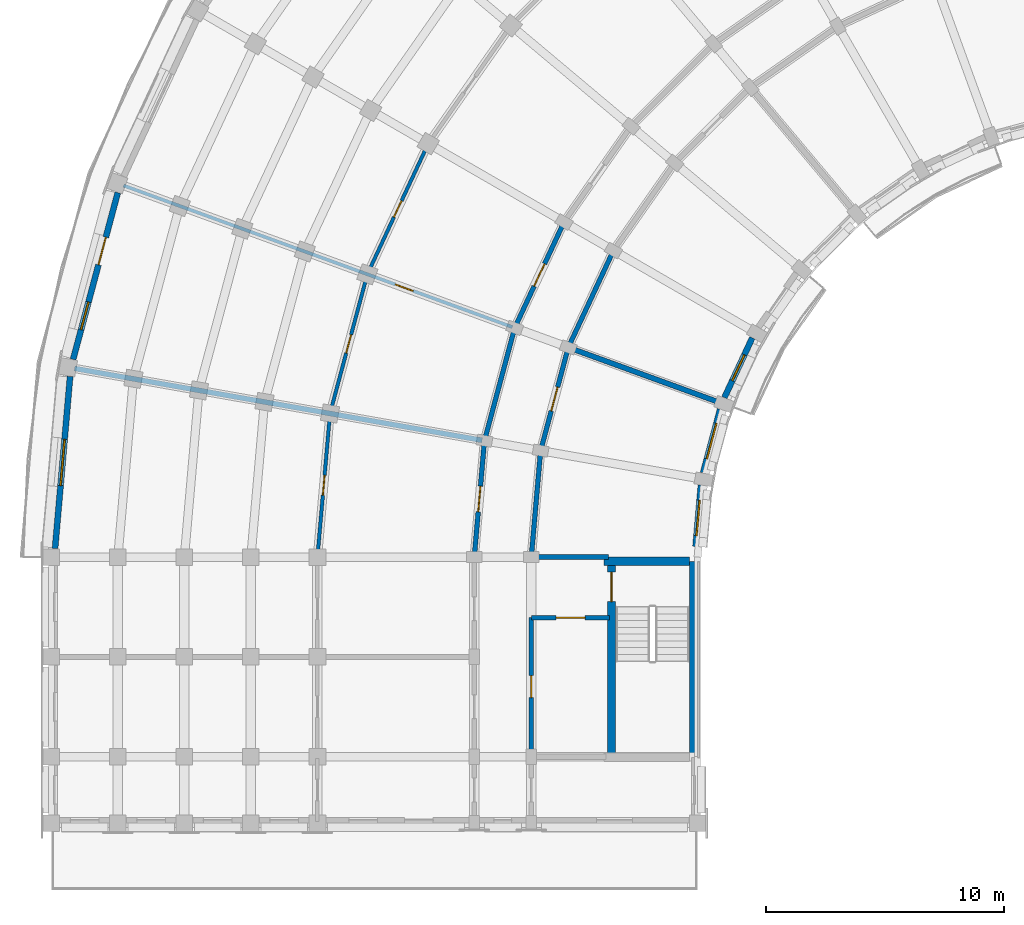
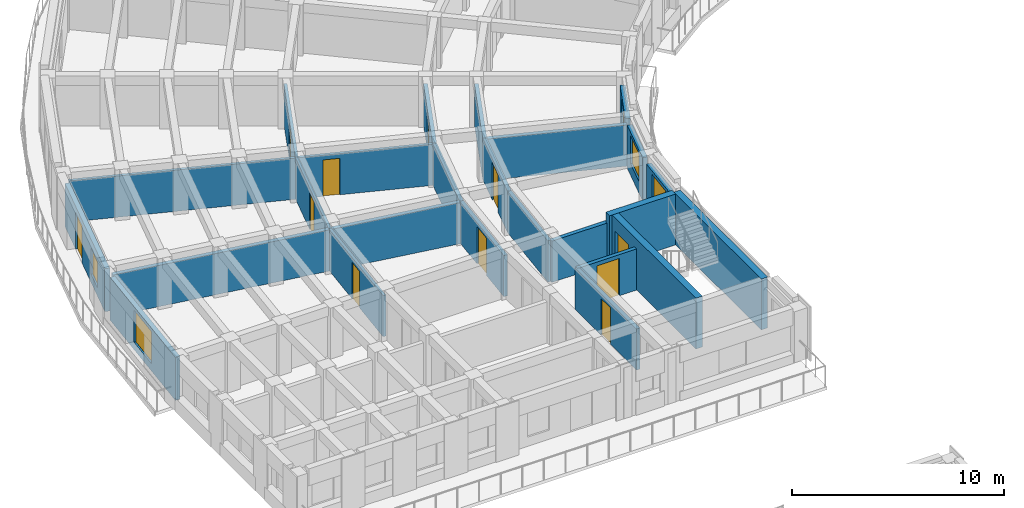
# One storey, part 24 of 54: 23 walls, 11 doors, 5 windows, 16 openings.
"""IFC4 building model written with IfcOpenShell, lengths in metres."""

from ifc_helpers import new_model, si_unit, direction, frame, frame_2d, origin, place, context, subcontext, project, spatial, rectangle, extrude, material, layer, layer_set, type_object, element, fill, save


model = new_model("IFC4")

# Units and contexts
model_context = context("Model", 3, precision=1e-05, world=origin(), true_north=direction((0.0, 1.0)))
body_context = subcontext(model_context, "Body", "Model", "MODEL_VIEW")
ifc_project = project(units=[si_unit("LENGTHUNIT", "METRE"), si_unit("AREAUNIT", "SQUARE_METRE"), si_unit("VOLUMEUNIT", "CUBIC_METRE"), si_unit("PLANEANGLEUNIT", "RADIAN"), si_unit("MASSUNIT", "GRAM", prefix="KILO")], contexts=[model_context])

# Site, building, storey
site_placement = place(None, origin())
site = spatial("IfcSite", under=ifc_project, at=site_placement, CompositionType="ELEMENT")
building_placement = place(site_placement, origin())
building = spatial("IfcBuilding", under=site, at=building_placement, Name="Kiranvali Square Residences", CompositionType="ELEMENT")
storey_placement = place(building_placement, frame((0.0, 0.0, 27.60009765625)))
storey = spatial("IfcBuildingStorey", under=building, at=storey_placement, Name="L08", CompositionType="ELEMENT", Elevation=27.60009765625)

# Wall, opening, door
ifc_material_1 = material(Name="Autoclaved aerated concrete blockwork masonry", Category="masonry")
ifc_layer_1 = layer(ifc_material_1, 0.199951171875)
ifc_layer_set_1 = layer_set([ifc_layer_1], Name="Autoclaved aerated concrete blockwork masonry")
wall_type_1 = type_object("IfcWallType", Name="WL-COR-200", PredefinedType="STANDARD", material=ifc_layer_set_1)
wall_1_placement = place(storey_placement, frame((25.699951171875, 85.25, 0.0), z_axis=(0.0, 0.0, 1.0), x_axis=(-1.0, 0.0, 0.0)))
wall_1 = element("IfcWall", 1, at=wall_1_placement, inside=storey, type_object=wall_type_1, Name="L08 architectural wall WL-L08-A-S3-V", PredefinedType="STANDARD", context=body_context, shape_type="SweptSolid", body=[
    extrude(rectangle(XDim=3.300048828125, YDim=0.199951171875, at=frame_2d((1.64990234375, 0.0))), origin(), (0.0, 0.0, 1.0), 2.371826171875),
])
opening_1_placement = place(wall_1_placement, frame((1.0400390625, 0.0, 0.0)))
opening_1 = element("IfcOpeningElement", 2, at=opening_1_placement, cuts=wall_1, Name="Opening FD-COR-60", PredefinedType="OPENING", context=body_context, shape_type="SweptSolid", body=[
    extrude(rectangle(XDim=1.219970703125, YDim=2.14990234375, at=frame_2d((0.60986328125, 1.074951171875))), frame((0.0, 0.10986328125, 0.0), z_axis=(0.0, -1.0, 0.0), x_axis=(1.0, 0.0, 0.0)), (0.0, 0.0, 1.0), 0.219970703125),
])
ifc_material_2 = material(Name="Fire-rated acoustic hardwood and mineral-core door assembly", Category="wood")
door_type_1 = type_object("IfcDoorType", Name="DR-FD60-1200", OperationType="NOTDEFINED", PredefinedType="DOOR", material=ifc_material_2)
door_1_placement = place(opening_1_placement, frame((1.219970703125, 0.0, 0.0), z_axis=(0.0, 0.0, 1.0), x_axis=(-1.0, 0.0, 0.0)))
door_1 = element("IfcDoor", 3, at=door_1_placement, inside=storey, type_object=door_type_1, Name="L08 door DR-L08-0520 (DR-FD60-1200)", OperationType="SINGLE_SWING_RIGHT", OverallHeight=2.14990234375, OverallWidth=1.219970703125, PredefinedType="DOOR", context=body_context, shape_type="SweptSolid", body=[
    extrude(rectangle(XDim=1.219970703125, YDim=2.14990234375, at=frame_2d((0.60986328125, 1.074951171875))), frame((0.0, 0.02490234375, 0.0), z_axis=(0.0, -1.0, 0.0), x_axis=(1.0, 0.0, 0.0)), (0.0, 0.0, 1.0), 0.050048828125),
])
fill(opening_1, door_1)

wall_2_placement = place(storey_placement, frame((22.39990234375, 85.25, 0.0), z_axis=(0.0, 0.0, 1.0), x_axis=(0.0, -1.0, 0.0)))
wall_2 = element("IfcWall", 4, at=wall_2_placement, inside=storey, type_object=wall_type_1, Name="L08 architectural wall WL-L08-A-S3-COR", PredefinedType="STANDARD", context=body_context, shape_type="SweptSolid", body=[
    extrude(rectangle(XDim=5.800048828125, YDim=0.199951171875, at=frame_2d((2.89990234375, 0.0))), origin(), (0.0, 0.0, 1.0), 2.371826171875),
])
opening_2_placement = place(wall_2_placement, frame((2.43994140625, 0.0, 0.0)))
opening_2 = element("IfcOpeningElement", 5, at=opening_2_placement, cuts=wall_2, Name="Opening FD-SVC-120", PredefinedType="OPENING", context=body_context, shape_type="SweptSolid", body=[
    extrude(rectangle(XDim=0.919921875, YDim=2.10009765625, at=frame_2d((0.4599609375, 1.050048828125))), frame((0.0, 0.10986328125, 0.0), z_axis=(0.0, -1.0, 0.0), x_axis=(1.0, 0.0, 0.0)), (0.0, 0.0, 1.0), 0.219970703125),
])
door_type_2 = type_object("IfcDoorType", Name="DR-SVC-900", OperationType="NOTDEFINED", PredefinedType="DOOR", material=ifc_material_2)
door_2_placement = place(opening_2_placement, origin())
door_2 = element("IfcDoor", 6, at=door_2_placement, inside=storey, type_object=door_type_2, Name="L08 door DR-L08-0521 (DR-SVC-900)", OperationType="SINGLE_SWING_LEFT", OverallHeight=2.10009765625, OverallWidth=0.919921875, PredefinedType="DOOR", context=body_context, shape_type="SweptSolid", body=[
    extrude(rectangle(XDim=0.919921875, YDim=2.10009765625, at=frame_2d((0.4599609375, 1.050048828125))), frame((0.0, 0.02490234375, 0.0), z_axis=(0.0, -1.0, 0.0), x_axis=(1.0, 0.0, 0.0)), (0.0, 0.0, 1.0), 0.050048828125),
])
fill(opening_2, door_2)

# Wall
wall_3_placement = place(storey_placement, frame((25.8564453125, 100.699951171875, 0.0), z_axis=(0.0, 0.0, 1.0), x_axis=(-0.422617978463, -0.906307919131, 0.0)))
element("IfcWall", 7, at=wall_3_placement, inside=storey, type_object=wall_type_1, Name="L08 architectural wall WL-L08-A-CCI-6", PredefinedType="STANDARD", context=body_context, shape_type="SweptSolid", body=[
    extrude(rectangle(XDim=4.497314453125, YDim=0.199951171875, at=frame_2d((2.24853515625, 0.0))), origin(), (0.0, 0.0, 1.0), 2.371826171875),
])

# Wall, opening, door
wall_4_placement = place(storey_placement, frame((23.778076171875, 101.89990234375, 0.0), z_axis=(0.0, 0.0, 1.0), x_axis=(-0.422629854778, -0.906302381024, 0.0)))
wall_4 = element("IfcWall", 8, at=wall_4_placement, inside=storey, type_object=wall_type_1, Name="L08 architectural wall WL-L08-A-CCO-6", PredefinedType="STANDARD", context=body_context, shape_type="SweptSolid", body=[
    extrude(rectangle(XDim=4.915283203125, YDim=0.199951171875, at=frame_2d((2.45751953125, 0.0))), origin(), (0.0, 0.0, 1.0), 2.371826171875),
])
opening_3_placement = place(wall_4_placement, frame((1.937744140625, 0.0, 0.0)))
opening_3 = element("IfcOpeningElement", 9, at=opening_3_placement, cuts=wall_4, Name="Opening FD-APT-60B", PredefinedType="OPENING", context=body_context, shape_type="SweptSolid", body=[
    extrude(rectangle(XDim=1.0400390625, YDim=2.14990234375, at=frame_2d((0.52001953125, 1.074951171875))), frame((0.0, 0.10986328125, 0.0), z_axis=(0.0, -1.0, 0.0), x_axis=(1.0, 0.0, 0.0)), (0.0, 0.0, 1.0), 0.219970703125),
])
door_type_3 = type_object("IfcDoorType", Name="DR-APT-1040", OperationType="NOTDEFINED", PredefinedType="DOOR", material=ifc_material_2)
door_3_placement = place(opening_3_placement, frame((1.0400390625, 0.0, 0.0), z_axis=(0.0, 0.0, 1.0), x_axis=(-1.0, 0.0, 0.0)))
door_3 = element("IfcDoor", 10, at=door_3_placement, inside=storey, type_object=door_type_3, Name="L08 door DR-L08-0552 (DR-APT-1040)", OperationType="SINGLE_SWING_RIGHT", OverallHeight=2.14990234375, OverallWidth=1.0400390625, PredefinedType="DOOR", context=body_context, shape_type="SweptSolid", body=[
    extrude(rectangle(XDim=1.0400390625, YDim=2.14990234375, at=frame_2d((0.52001953125, 1.074951171875))), frame((0.0, 0.02490234375, 0.0), z_axis=(0.0, -1.0, 0.0), x_axis=(1.0, 0.0, 0.0)), (0.0, 0.0, 1.0), 0.050048828125),
])
fill(opening_3, door_3)

wall_5_placement = place(storey_placement, frame((23.955810546875, 96.6240234375, 0.0), z_axis=(0.0, 0.0, 1.0), x_axis=(-0.258787642463, -0.965934240054, 0.0)))
wall_5 = element("IfcWall", 11, at=wall_5_placement, inside=storey, type_object=wall_type_1, Name="L08 architectural wall WL-L08-A-CCI-7", PredefinedType="STANDARD", context=body_context, shape_type="SweptSolid", body=[
    extrude(rectangle(XDim=4.497314453125, YDim=0.199951171875, at=frame_2d((2.24853515625, 0.0))), origin(), (0.0, 0.0, 1.0), 2.371826171875),
])
opening_4_placement = place(wall_5_placement, frame((1.728515625, 0.0, 0.0)))
opening_4 = element("IfcOpeningElement", 12, at=opening_4_placement, cuts=wall_5, Name="Opening FD-APT-60B", PredefinedType="OPENING", context=body_context, shape_type="SweptSolid", body=[
    extrude(rectangle(XDim=1.0400390625, YDim=2.14990234375, at=frame_2d((0.52001953125, 1.074951171875))), frame((0.0, 0.10986328125, 0.0), z_axis=(0.0, -1.0, 0.0), x_axis=(1.0, 0.0, 0.0)), (0.0, 0.0, 1.0), 0.219970703125),
])
door_4_placement = place(opening_4_placement, frame((1.0400390625, 0.0, 0.0), z_axis=(0.0, 0.0, 1.0), x_axis=(-1.0, 0.0, 0.0)))
door_4 = element("IfcDoor", 13, at=door_4_placement, inside=storey, type_object=door_type_3, Name="L08 door DR-L08-0560 (DR-APT-1040)", OperationType="SINGLE_SWING_RIGHT", OverallHeight=2.14990234375, OverallWidth=1.0400390625, PredefinedType="DOOR", context=body_context, shape_type="SweptSolid", body=[
    extrude(rectangle(XDim=1.0400390625, YDim=2.14990234375, at=frame_2d((0.52001953125, 1.074951171875))), frame((0.0, 0.02490234375, 0.0), z_axis=(0.0, -1.0, 0.0), x_axis=(1.0, 0.0, 0.0)), (0.0, 0.0, 1.0), 0.050048828125),
])
fill(opening_4, door_4)

# Walls
wall_6_placement = place(storey_placement, frame((21.70068359375, 97.445068359375, 0.0), z_axis=(0.0, 0.0, 1.0), x_axis=(-0.258803112091, -0.965930095386, 0.0)))
element("IfcWall", 14, at=wall_6_placement, inside=storey, type_object=wall_type_1, Name="L08 architectural wall WL-L08-A-CCO-7", PredefinedType="STANDARD", context=body_context, shape_type="SweptSolid", body=[
    extrude(rectangle(XDim=4.915771484375, YDim=0.199951171875, at=frame_2d((2.4580078125, 0.0))), origin(), (0.0, 0.0, 1.0), 2.371826171875),
])
wall_7_placement = place(storey_placement, frame((22.7919921875, 92.280029296875, 0.0), z_axis=(0.0, 0.0, 1.0), x_axis=(-0.087187153726, -0.996191949488, 0.0)))
element("IfcWall", 15, at=wall_7_placement, inside=storey, type_object=wall_type_1, Name="L08 architectural wall WL-L08-A-CCI-8", PredefinedType="STANDARD", context=body_context, shape_type="SweptSolid", body=[
    extrude(rectangle(XDim=4.4970703125, YDim=0.199951171875, at=frame_2d((2.24853515625, 0.0))), origin(), (0.0, 0.0, 1.0), 2.371826171875),
])

# Wall, opening, door
wall_8_placement = place(storey_placement, frame((20.428466796875, 92.69677734375, 0.0), z_axis=(0.0, 0.0, 1.0), x_axis=(-0.087167566415, -0.996193663584, 0.0)))
wall_8 = element("IfcWall", 16, at=wall_8_placement, inside=storey, type_object=wall_type_1, Name="L08 architectural wall WL-L08-A-CCO-8", PredefinedType="STANDARD", context=body_context, shape_type="SweptSolid", body=[
    extrude(rectangle(XDim=4.91552734375, YDim=0.199951171875, at=frame_2d((2.457763671875, 0.0))), origin(), (0.0, 0.0, 1.0), 2.371826171875),
])
opening_5_placement = place(wall_8_placement, frame((1.917724609375, 0.0, 0.0)))
opening_5 = element("IfcOpeningElement", 17, at=opening_5_placement, cuts=wall_8, Name="Opening FD-APT-60C", PredefinedType="OPENING", context=body_context, shape_type="SweptSolid", body=[
    extrude(rectangle(XDim=1.080078125, YDim=2.14990234375, at=frame_2d((0.5400390625, 1.074951171875))), frame((0.0, 0.10986328125, 0.0), z_axis=(0.0, -1.0, 0.0), x_axis=(1.0, 0.0, 0.0)), (0.0, 0.0, 1.0), 0.219970703125),
])
door_type_4 = type_object("IfcDoorType", Name="DR-APT-1080", OperationType="NOTDEFINED", PredefinedType="DOOR", material=ifc_material_2)
door_5_placement = place(opening_5_placement, origin())
door_5 = element("IfcDoor", 18, at=door_5_placement, inside=storey, type_object=door_type_4, Name="L08 door DR-L08-0555 (DR-APT-1080)", OperationType="SINGLE_SWING_LEFT", OverallHeight=2.14990234375, OverallWidth=1.080078125, PredefinedType="DOOR", context=body_context, shape_type="SweptSolid", body=[
    extrude(rectangle(XDim=1.080078125, YDim=2.14990234375, at=frame_2d((0.5400390625, 1.074951171875))), frame((0.0, 0.02490234375, 0.0), z_axis=(0.0, -1.0, 0.0), x_axis=(1.0, 0.0, 0.0)), (0.0, 0.0, 1.0), 0.050048828125),
])
fill(opening_5, door_5)

# Walls
ifc_layer_2 = layer(ifc_material_1, 0.219970703125)
ifc_layer_set_2 = layer_set([ifc_layer_2], Name="Autoclaved aerated concrete blockwork masonry")
wall_type_2 = type_object("IfcWallType", Name="WL-DEM-220", PredefinedType="STANDARD", material=ifc_layer_set_2)
wall_9_placement = place(storey_placement, frame((30.345947265625, 94.29833984375, 0.0), z_axis=(0.0, 0.0, 1.0), x_axis=(-0.939696231917, 0.342010221662, 0.0)))
element("IfcWall", 19, at=wall_9_placement, inside=storey, type_object=wall_type_2, Name="L08 architectural wall WL-L08-A-RADI-7", PredefinedType="STANDARD", context=body_context, shape_type="SweptSolid", body=[
    extrude(rectangle(XDim=6.75, YDim=0.219970703125, at=frame_2d((3.375, 0.0))), origin(), (0.0, 0.0, 1.0), 2.371826171875),
])
wall_10_placement = place(storey_placement, frame((20.329833984375, 92.71435546875, 0.0), z_axis=(0.0, 0.0, 1.0), x_axis=(-0.984808098809, 0.173646216546, 0.0)))
element("IfcWall", 20, at=wall_10_placement, inside=storey, type_object=wall_type_2, Name="L08 architectural wall WL-L08-A-RADO-8", PredefinedType="STANDARD", context=body_context, shape_type="SweptSolid", body=[
    extrude(rectangle(XDim=17.419921875, YDim=0.219970703125, at=frame_2d((8.7099609375, 0.0))), origin(), (0.0, 0.0, 1.0), 2.371826171875),
])
wall_11_placement = place(storey_placement, frame((25.64990234375, 87.800048828125, 0.0), z_axis=(0.0, 0.0, 1.0), x_axis=(-1.0, 0.0, 0.0)))
element("IfcWall", 21, at=wall_11_placement, inside=storey, type_object=wall_type_2, Name="L08 architectural wall WL-L08-A-RADI-9", PredefinedType="STANDARD", context=body_context, shape_type="SweptSolid", body=[
    extrude(rectangle(XDim=3.199951171875, YDim=0.219970703125, at=frame_2d((1.60009765625, 0.0))), origin(), (0.0, 0.0, 1.0), 2.371826171875),
])

# Wall, openings, door, window
ifc_material_3 = material(Name="Breathable lime-rendered clay brick masonry", Category="masonry")
ifc_layer_3 = layer(ifc_material_3, 0.25)
ifc_layer_set_3 = layer_set([ifc_layer_3], Name="Breathable lime-rendered clay brick masonry")
wall_type_3 = type_object("IfcWallType", Name="WL-EXT-250", PredefinedType="STANDARD", material=ifc_layer_set_3)
wall_12_placement = place(storey_placement, frame((4.99755859375, 103.137451171875, 0.0), z_axis=(0.0, 0.0, 1.0), x_axis=(-0.258802140196, -0.965930355787, 0.0)))
wall_12 = element("IfcWall", 22, at=wall_12_placement, inside=storey, type_object=wall_type_3, Name="L08 exterior wall A-L08-CRV-07", PredefinedType="STANDARD", context=body_context, shape_type="SweptSolid", body=[
    extrude(rectangle(XDim=7.2666015625, YDim=0.25, at=frame_2d((3.63330078125, 0.0))), origin(), (0.0, 0.0, 1.0), 2.471923828125),
])
opening_6_placement = place(wall_12_placement, frame((4.765625, 0.0, 0.471923828125)))
opening_6 = element("IfcOpeningElement", 23, at=opening_6_placement, cuts=wall_12, Name="Opening W-06", PredefinedType="OPENING", context=body_context, shape_type="SweptSolid", body=[
    extrude(rectangle(XDim=1.199951171875, YDim=1.5, at=frame_2d((0.60009765625, 0.75))), frame((0.0, 0.135009765625, 0.0), z_axis=(0.0, -1.0, 0.0), x_axis=(1.0, 0.0, 0.0)), (0.0, 0.0, 1.0), 0.27001953125),
])
opening_7_placement = place(wall_12_placement, frame((1.943359375, 0.0, 0.0)))
opening_7 = element("IfcOpeningElement", 24, at=opening_7_placement, cuts=wall_12, Name="Opening ED-BAL-1", PredefinedType="OPENING", context=body_context, shape_type="SweptSolid", body=[
    extrude(rectangle(XDim=1.199951171875, YDim=2.14990234375, at=frame_2d((0.60009765625, 1.074951171875))), frame((0.0, 0.135009765625, 0.0), z_axis=(0.0, -1.0, 0.0), x_axis=(1.0, 0.0, 0.0)), (0.0, 0.0, 1.0), 0.27001953125),
])
ifc_material_4 = material(Name="Anodised bronze aluminium framing", Category="aluminium")
door_type_5 = type_object("IfcDoorType", Name="DR-BAL-1200", OperationType="NOTDEFINED", PredefinedType="DOOR", material=ifc_material_4)
door_6_placement = place(opening_7_placement, frame((1.199951171875, 0.0, 0.0), z_axis=(0.0, 0.0, 1.0), x_axis=(-1.0, 0.0, 0.0)))
door_6 = element("IfcDoor", 25, at=door_6_placement, inside=storey, type_object=door_type_5, Name="L08 balcony terrace door", OperationType="SINGLE_SWING_LEFT", OverallHeight=2.14990234375, OverallWidth=1.199951171875, PredefinedType="DOOR", context=body_context, shape_type="SweptSolid", body=[
    extrude(rectangle(XDim=1.199951171875, YDim=2.14990234375, at=frame_2d((0.60009765625, 1.074951171875))), frame((0.0, 0.02490234375, 0.0), z_axis=(0.0, -1.0, 0.0), x_axis=(1.0, 0.0, 0.0)), (0.0, 0.0, 1.0), 0.050048828125),
])
fill(opening_7, door_6)
ifc_material_5 = material(Name="Solar-control low-e double glazing", Category="glass")
window_type_1 = type_object("IfcWindowType", Name="WIN-RES-1200x1500", PartitioningType="SINGLE_PANEL", PredefinedType="WINDOW", material=ifc_material_5)
window_1_placement = place(opening_6_placement, origin())
window_1 = element("IfcWindow", 26, at=window_1_placement, inside=storey, type_object=window_type_1, Name="L08 recessed window A-L08-CRV-07", OverallHeight=1.5, OverallWidth=1.199951171875, PartitioningType="SINGLE_PANEL", PredefinedType="WINDOW", context=body_context, shape_type="SweptSolid", body=[
    extrude(rectangle(XDim=1.199951171875, YDim=1.5, at=frame_2d((0.60009765625, 0.75))), frame((0.0, 0.030029296875, 0.0), z_axis=(0.0, -1.0, 0.0), x_axis=(1.0, 0.0, 0.0)), (0.0, 0.0, 1.0), 0.06005859375),
])
fill(opening_6, window_1)

# Wall, opening, window
wall_13_placement = place(storey_placement, frame((2.99072265625, 95.402587890625, 0.0), z_axis=(0.0, 0.0, 1.0), x_axis=(-0.08718487158, -0.99619214922, 0.0)))
wall_13 = element("IfcWall", 27, at=wall_13_placement, inside=storey, type_object=wall_type_3, Name="L08 exterior wall A-L08-CRV-08", PredefinedType="STANDARD", context=body_context, shape_type="SweptSolid", body=[
    extrude(rectangle(XDim=7.2666015625, YDim=0.25, at=frame_2d((3.63330078125, 0.0))), origin(), (0.0, 0.0, 1.0), 2.471923828125),
])
opening_8_placement = place(wall_13_placement, frame((2.658447265625, 0.0, 0.422119140625)))
opening_8 = element("IfcOpeningElement", 28, at=opening_8_placement, cuts=wall_13, Name="Opening W-12", PredefinedType="OPENING", context=body_context, shape_type="SweptSolid", body=[
    extrude(rectangle(XDim=1.949951171875, YDim=1.85009765625, at=frame_2d((0.97509765625, 0.925048828125))), frame((0.0, 0.135009765625, 0.0), z_axis=(0.0, -1.0, 0.0), x_axis=(1.0, 0.0, 0.0)), (0.0, 0.0, 1.0), 0.27001953125),
])
window_type_2 = type_object("IfcWindowType", Name="WIN-RES-1950x1850", PartitioningType="DOUBLE_PANEL_VERTICAL", PredefinedType="WINDOW", material=ifc_material_5)
window_2_placement = place(opening_8_placement, origin())
window_2 = element("IfcWindow", 29, at=window_2_placement, inside=storey, type_object=window_type_2, Name="L08 recessed window A-L08-CRV-08", OverallHeight=1.85009765625, OverallWidth=1.949951171875, PartitioningType="DOUBLE_PANEL_VERTICAL", PredefinedType="WINDOW", context=body_context, shape_type="SweptSolid", body=[
    extrude(rectangle(XDim=1.949951171875, YDim=1.85009765625, at=frame_2d((0.97509765625, 0.925048828125))), frame((0.0, 0.030029296875, 0.0), z_axis=(0.0, -1.0, 0.0), x_axis=(1.0, 0.0, 0.0)), (0.0, 0.0, 1.0), 0.06005859375),
])
fill(opening_8, window_2)

wall_14_placement = place(storey_placement, frame((31.6982421875, 97.02294921875, 0.0), z_axis=(0.0, 0.0, 1.0), x_axis=(-0.422649007088, -0.906293449611, 0.0)))
wall_14 = element("IfcWall", 30, at=wall_14_placement, inside=storey, type_object=wall_type_3, Name="L08 exterior wall A-L08-GDN-06", PredefinedType="STANDARD", context=body_context, shape_type="SweptSolid", body=[
    extrude(rectangle(XDim=2.769775390625, YDim=0.25, at=frame_2d((1.384765625, 0.0))), origin(), (0.0, 0.0, 1.0), 2.471923828125),
])
opening_9_placement = place(wall_14_placement, frame((0.784912109375, 0.0, 0.77197265625)))
opening_9 = element("IfcOpeningElement", 31, at=opening_9_placement, cuts=wall_14, Name="Opening W-06", PredefinedType="OPENING", context=body_context, shape_type="SweptSolid", body=[
    extrude(rectangle(XDim=1.199951171875, YDim=1.5, at=frame_2d((0.60009765625, 0.75))), frame((0.0, 0.135009765625, 0.0), z_axis=(0.0, -1.0, 0.0), x_axis=(1.0, 0.0, 0.0)), (0.0, 0.0, 1.0), 0.27001953125),
])
window_3_placement = place(opening_9_placement, origin())
window_3 = element("IfcWindow", 32, at=window_3_placement, inside=storey, type_object=window_type_1, Name="L08 recessed window A-L08-GDN-06", OverallHeight=1.5, OverallWidth=1.199951171875, PartitioningType="SINGLE_PANEL", PredefinedType="WINDOW", context=body_context, shape_type="SweptSolid", body=[
    extrude(rectangle(XDim=1.199951171875, YDim=1.5, at=frame_2d((0.60009765625, 0.75))), frame((0.0, 0.030029296875, 0.0), z_axis=(0.0, -1.0, 0.0), x_axis=(1.0, 0.0, 0.0)), (0.0, 0.0, 1.0), 0.06005859375),
])
fill(opening_9, window_3)

wall_15_placement = place(storey_placement, frame((30.347412109375, 94.017333984375, 0.0), z_axis=(0.0, 0.0, 1.0), x_axis=(-0.25878161084, -0.965935855992, 0.0)))
wall_15 = element("IfcWall", 33, at=wall_15_placement, inside=storey, type_object=wall_type_3, Name="L08 exterior wall A-L08-GDN-07", PredefinedType="STANDARD", context=body_context, shape_type="SweptSolid", body=[
    extrude(rectangle(XDim=2.769775390625, YDim=0.25, at=frame_2d((1.384765625, 0.0))), origin(), (0.0, 0.0, 1.0), 2.471923828125),
])
opening_10_placement = place(wall_15_placement, frame((0.60986328125, 0.0, 0.672119140625)))
opening_10 = element("IfcOpeningElement", 34, at=opening_10_placement, cuts=wall_15, Name="Opening W-18", PredefinedType="OPENING", context=body_context, shape_type="SweptSolid", body=[
    extrude(rectangle(XDim=1.550048828125, YDim=1.60009765625, at=frame_2d((0.77490234375, 0.800048828125))), frame((0.0, 0.135009765625, 0.0), z_axis=(0.0, -1.0, 0.0), x_axis=(1.0, 0.0, 0.0)), (0.0, 0.0, 1.0), 0.27001953125),
])
window_type_3 = type_object("IfcWindowType", Name="WIN-GDN-1550x1600", PartitioningType="DOUBLE_PANEL_VERTICAL", PredefinedType="WINDOW", material=ifc_material_5)
window_4_placement = place(opening_10_placement, origin())
window_4 = element("IfcWindow", 35, at=window_4_placement, inside=storey, type_object=window_type_3, Name="L08 recessed window A-L08-GDN-07", OverallHeight=1.60009765625, OverallWidth=1.550048828125, PartitioningType="DOUBLE_PANEL_VERTICAL", PredefinedType="WINDOW", context=body_context, shape_type="SweptSolid", body=[
    extrude(rectangle(XDim=1.550048828125, YDim=1.60009765625, at=frame_2d((0.77490234375, 0.800048828125))), frame((0.0, 0.030029296875, 0.0), z_axis=(0.0, -1.0, 0.0), x_axis=(1.0, 0.0, 0.0)), (0.0, 0.0, 1.0), 0.06005859375),
])
fill(opening_10, window_4)

wall_16_placement = place(storey_placement, frame((29.5390625, 90.82275390625, 0.0), z_axis=(0.0, 0.0, 1.0), x_axis=(-0.087229084652, -0.996188278786, 0.0)))
wall_16 = element("IfcWall", 36, at=wall_16_placement, inside=storey, type_object=wall_type_3, Name="L08 exterior wall A-L08-GDN-08", PredefinedType="STANDARD", context=body_context, shape_type="SweptSolid", body=[
    extrude(rectangle(XDim=2.583251953125, YDim=0.25, at=frame_2d((1.29150390625, 0.0))), origin(), (0.0, 0.0, 1.0), 2.471923828125),
])
opening_11_placement = place(wall_16_placement, frame((0.635009765625, 0.0, 0.6220703125)))
opening_11 = element("IfcOpeningElement", 37, at=opening_11_placement, cuts=wall_16, Name="Opening W-05", PredefinedType="OPENING", context=body_context, shape_type="SweptSolid", body=[
    extrude(rectangle(XDim=1.5, YDim=1.64990234375, at=frame_2d((0.75, 0.824951171875))), frame((0.0, 0.135009765625, 0.0), z_axis=(0.0, -1.0, 0.0), x_axis=(1.0, 0.0, 0.0)), (0.0, 0.0, 1.0), 0.27001953125),
])
window_type_4 = type_object("IfcWindowType", Name="WIN-RES-1500x1650", PartitioningType="DOUBLE_PANEL_VERTICAL", PredefinedType="WINDOW", material=ifc_material_5)
window_5_placement = place(opening_11_placement, origin())
window_5 = element("IfcWindow", 38, at=window_5_placement, inside=storey, type_object=window_type_4, Name="L08 recessed window A-L08-GDN-08", OverallHeight=1.64990234375, OverallWidth=1.5, PartitioningType="DOUBLE_PANEL_VERTICAL", PredefinedType="WINDOW", context=body_context, shape_type="SweptSolid", body=[
    extrude(rectangle(XDim=1.5, YDim=1.64990234375, at=frame_2d((0.75, 0.824951171875))), frame((0.0, 0.030029296875, 0.0), z_axis=(0.0, -1.0, 0.0), x_axis=(1.0, 0.0, 0.0)), (0.0, 0.0, 1.0), 0.06005859375),
])
fill(opening_11, window_5)

# Wall, opening, door
ifc_material_6 = material(Name="Acoustic gypsum board drylined partition", Category="gypsum")
ifc_layer_4 = layer(ifc_material_6, 0.14990234375)
ifc_layer_set_4 = layer_set([ifc_layer_4], Name="Acoustic gypsum board drylined partition")
wall_type_4 = type_object("IfcWallType", Name="WL-PRT-150", PredefinedType="PARTITIONING", material=ifc_layer_set_4)
wall_17_placement = place(storey_placement, frame((21.606689453125, 97.479248046875, 0.0), z_axis=(0.0, 0.0, 1.0), x_axis=(-0.939691901159, 0.342022120477, 0.0)))
wall_17 = element("IfcWall", 39, at=wall_17_placement, inside=storey, type_object=wall_type_4, Name="L08 architectural wall WL-L08-A-RADO-7", PredefinedType="PARTITIONING", context=body_context, shape_type="SweptSolid", body=[
    extrude(rectangle(XDim=17.419921875, YDim=0.14990234375, at=frame_2d((8.7099609375, 0.0))), origin(), (0.0, 0.0, 1.0), 2.371826171875),
])
opening_12_placement = place(wall_17_placement, frame((4.44970703125, 0.0, 0.0)))
opening_12 = element("IfcOpeningElement", 40, at=opening_12_placement, cuts=wall_17, Name="Opening ID-WET", PredefinedType="OPENING", context=body_context, shape_type="SweptSolid", body=[
    extrude(rectangle(XDim=0.800048828125, YDim=2.10009765625, at=frame_2d((0.39990234375, 1.050048828125))), frame((0.0, 0.0849609375, 0.0), z_axis=(0.0, -1.0, 0.0), x_axis=(1.0, 0.0, 0.0)), (0.0, 0.0, 1.0), 0.169921875),
])
ifc_material_7 = material(Name="Solid seasoned teak hardwood joinery", Category="wood")
door_type_6 = type_object("IfcDoorType", Name="DR-WET-800", OperationType="NOTDEFINED", PredefinedType="DOOR", material=ifc_material_7)
door_7_placement = place(opening_12_placement, frame((0.800048828125, 0.0, 0.0), z_axis=(0.0, 0.0, 1.0), x_axis=(-1.0, 0.0, 0.0)))
door_7 = element("IfcDoor", 41, at=door_7_placement, inside=storey, type_object=door_type_6, Name="L08 door DR-L08-0542 (DR-WET-800)", OperationType="SINGLE_SWING_RIGHT", OverallHeight=2.10009765625, OverallWidth=0.800048828125, PredefinedType="DOOR", context=body_context, shape_type="SweptSolid", body=[
    extrude(rectangle(XDim=0.800048828125, YDim=2.10009765625, at=frame_2d((0.39990234375, 1.050048828125))), frame((0.0, 0.02490234375, 0.0), z_axis=(0.0, -1.0, 0.0), x_axis=(1.0, 0.0, 0.0)), (0.0, 0.0, 1.0), 0.050048828125),
])
fill(opening_12, door_7)

# Wall
ifc_material_8 = material(Name="Concrete M45 (45 MPa)", Category="concrete")
ifc_layer_5 = layer(ifc_material_8, 0.320068359375)
ifc_layer_set_5 = layer_set([ifc_layer_5], Name="Concrete M45 (45 MPa)")
wall_type_5 = type_object("IfcWallType", Name="WL-SHR-320", PredefinedType="SHEAR", material=ifc_layer_set_5)
wall_18_placement = place(storey_placement, frame((29.22509765625, 87.625, 0.0), z_axis=(0.0, 0.0, 1.0), x_axis=(0.0, -1.0, 0.0)))
element("IfcWall", 42, at=wall_18_placement, inside=storey, type_object=wall_type_5, Name="Block A core shear wall SW-A3-OUT-L08", PredefinedType="SHEAR", context=body_context, shape_type="SweptSolid", body=[
    extrude(rectangle(XDim=8.25, YDim=0.35009765625, at=frame_2d((4.125, 0.0))), origin(), (0.0, 0.0, 1.0), 2.929931640625),
])

# Wall, opening, door
wall_19_placement = place(storey_placement, frame((25.77490234375, 87.449951171875, 0.0), z_axis=(0.0, 0.0, 1.0), x_axis=(0.0, -1.0, 0.0)))
wall_19 = element("IfcWall", 43, at=wall_19_placement, inside=storey, type_object=wall_type_5, Name="Block A core shear wall SW-A3-IN-L08", PredefinedType="SHEAR", context=body_context, shape_type="SweptSolid", body=[
    extrude(rectangle(XDim=7.89990234375, YDim=0.35009765625, at=frame_2d((3.949951171875, 0.0))), origin(), (0.0, 0.0, 1.0), 2.929931640625),
])
opening_13_placement = place(wall_19_placement, frame((0.280029296875, 0.0, 0.0)))
opening_13 = element("IfcOpeningElement", 44, at=opening_13_placement, cuts=wall_19, Name="Opening FD-ST-120", PredefinedType="OPENING", context=body_context, shape_type="SweptSolid", body=[
    extrude(rectangle(XDim=1.239990234375, YDim=2.14990234375, at=frame_2d((0.6201171875, 1.074951171875))), frame((0.0, 0.18505859375, 0.0), z_axis=(0.0, -1.0, 0.0), x_axis=(1.0, 0.0, 0.0)), (0.0, 0.0, 1.0), 0.3701171875),
])
door_type_7 = type_object("IfcDoorType", Name="DR-FD120-1200", OperationType="NOTDEFINED", PredefinedType="DOOR", material=ifc_material_2)
door_8_placement = place(opening_13_placement, origin())
door_8 = element("IfcDoor", 45, at=door_8_placement, inside=storey, type_object=door_type_7, Name="L08 door DR-L08-0516 (DR-FD120-1200)", OperationType="SINGLE_SWING_RIGHT", OverallHeight=2.14990234375, OverallWidth=1.239990234375, PredefinedType="DOOR", context=body_context, shape_type="SweptSolid", body=[
    extrude(rectangle(XDim=1.239990234375, YDim=2.14990234375, at=frame_2d((0.6201171875, 1.074951171875))), frame((0.0, 0.02490234375, 0.0), z_axis=(0.0, -1.0, 0.0), x_axis=(1.0, 0.0, 0.0)), (0.0, 0.0, 1.0), 0.050048828125),
])
fill(opening_13, door_8)

# Wall
wall_20_placement = place(storey_placement, frame((29.050048828125, 87.625, 0.0), z_axis=(0.0, 0.0, 1.0), x_axis=(-1.0, 0.0, 0.0)))
element("IfcWall", 46, at=wall_20_placement, inside=storey, type_object=wall_type_5, Name="Block A core shear wall SW-A3-NEAR-L08", PredefinedType="SHEAR", context=body_context, shape_type="SweptSolid", body=[
    extrude(rectangle(XDim=3.60009765625, YDim=0.35009765625, at=frame_2d((1.800048828125, 0.0))), origin(), (0.0, 0.0, 1.0), 2.929931640625),
])

# Wall, opening, door
ifc_layer_6 = layer(ifc_material_1, 0.14990234375)
ifc_layer_set_6 = layer_set([ifc_layer_6], Name="Autoclaved aerated concrete blockwork masonry")
wall_type_6 = type_object("IfcWallType", Name="WL-WET-150", PredefinedType="PLUMBINGWALL", material=ifc_layer_set_6)
wall_21_placement = place(storey_placement, frame((18.062255859375, 105.199951171875, 0.0), z_axis=(0.0, 0.0, 1.0), x_axis=(-0.42260781991, -0.906312656069, 0.0)))
wall_21 = element("IfcWall", 47, at=wall_21_placement, inside=storey, type_object=wall_type_6, Name="L08 architectural wall WL-L08-A-CWET-6", PredefinedType="PLUMBINGWALL", context=body_context, shape_type="SweptSolid", body=[
    extrude(rectangle(XDim=6.06591796875, YDim=0.14990234375, at=frame_2d((3.032958984375, 0.0))), origin(), (0.0, 0.0, 1.0), 2.371826171875),
])
opening_14_placement = place(wall_21_placement, frame((2.653076171875, 0.0, 0.0)))
opening_14 = element("IfcOpeningElement", 48, at=opening_14_placement, cuts=wall_21, Name="Opening ID-WET0", PredefinedType="OPENING", context=body_context, shape_type="SweptSolid", body=[
    extrude(rectangle(XDim=0.760009765625, YDim=2.050048828125, at=frame_2d((0.3798828125, 1.02490234375))), frame((0.0, 0.0849609375, 0.0), z_axis=(0.0, -1.0, 0.0), x_axis=(1.0, 0.0, 0.0)), (0.0, 0.0, 1.0), 0.169921875),
])
door_type_8 = type_object("IfcDoorType", Name="DR-WET-760", OperationType="NOTDEFINED", PredefinedType="DOOR", material=ifc_material_7)
door_9_placement = place(opening_14_placement, origin())
door_9 = element("IfcDoor", 49, at=door_9_placement, inside=storey, type_object=door_type_8, Name="L08 door DR-L08-0553 (DR-WET-760)", OperationType="SINGLE_SWING_LEFT", OverallHeight=2.050048828125, OverallWidth=0.760009765625, PredefinedType="DOOR", context=body_context, shape_type="SweptSolid", body=[
    extrude(rectangle(XDim=0.760009765625, YDim=2.050048828125, at=frame_2d((0.3798828125, 1.02490234375))), frame((0.0, 0.02490234375, 0.0), z_axis=(0.0, -1.0, 0.0), x_axis=(1.0, 0.0, 0.0)), (0.0, 0.0, 1.0), 0.050048828125),
])
fill(opening_14, door_9)

wall_22_placement = place(storey_placement, frame((15.498779296875, 99.702392578125, 0.0), z_axis=(0.0, 0.0, 1.0), x_axis=(-0.258827283048, -0.965923618901, 0.0)))
wall_22 = element("IfcWall", 50, at=wall_22_placement, inside=storey, type_object=wall_type_6, Name="L08 architectural wall WL-L08-A-CWET-7", PredefinedType="PLUMBINGWALL", context=body_context, shape_type="SweptSolid", body=[
    extrude(rectangle(XDim=6.066162109375, YDim=0.14990234375, at=frame_2d((3.033203125, 0.0))), origin(), (0.0, 0.0, 1.0), 2.371826171875),
])
opening_15_placement = place(wall_22_placement, frame((2.633056640625, 0.0, 0.0)))
opening_15 = element("IfcOpeningElement", 51, at=opening_15_placement, cuts=wall_22, Name="Opening ID-WET", PredefinedType="OPENING", context=body_context, shape_type="SweptSolid", body=[
    extrude(rectangle(XDim=0.800048828125, YDim=2.10009765625, at=frame_2d((0.39990234375, 1.050048828125))), frame((0.0, 0.0849609375, 0.0), z_axis=(0.0, -1.0, 0.0), x_axis=(1.0, 0.0, 0.0)), (0.0, 0.0, 1.0), 0.169921875),
])
door_10_placement = place(opening_15_placement, frame((0.800048828125, 0.0, 0.0), z_axis=(0.0, 0.0, 1.0), x_axis=(-1.0, 0.0, 0.0)))
door_10 = element("IfcDoor", 52, at=door_10_placement, inside=storey, type_object=door_type_6, Name="L08 door DR-L08-0554 (DR-WET-800)", OperationType="SINGLE_SWING_RIGHT", OverallHeight=2.10009765625, OverallWidth=0.800048828125, PredefinedType="DOOR", context=body_context, shape_type="SweptSolid", body=[
    extrude(rectangle(XDim=0.800048828125, YDim=2.10009765625, at=frame_2d((0.39990234375, 1.050048828125))), frame((0.0, 0.02490234375, 0.0), z_axis=(0.0, -1.0, 0.0), x_axis=(1.0, 0.0, 0.0)), (0.0, 0.0, 1.0), 0.050048828125),
])
fill(opening_15, door_10)

wall_23_placement = place(storey_placement, frame((13.9287109375, 93.843017578125, 0.0), z_axis=(0.0, 0.0, 1.0), x_axis=(-0.087174938512, -0.996193018494, 0.0)))
wall_23 = element("IfcWall", 53, at=wall_23_placement, inside=storey, type_object=wall_type_6, Name="L08 architectural wall WL-L08-A-CWET-8", PredefinedType="PLUMBINGWALL", context=body_context, shape_type="SweptSolid", body=[
    extrude(rectangle(XDim=6.066162109375, YDim=0.14990234375, at=frame_2d((3.033203125, 0.0))), origin(), (0.0, 0.0, 1.0), 2.371826171875),
])
opening_16_placement = place(wall_23_placement, frame((2.613037109375, 0.0, 0.0)))
opening_16 = element("IfcOpeningElement", 54, at=opening_16_placement, cuts=wall_23, Name="Opening ID-WET2", PredefinedType="OPENING", context=body_context, shape_type="SweptSolid", body=[
    extrude(rectangle(XDim=0.840087890625, YDim=2.10009765625, at=frame_2d((0.419921875, 1.050048828125))), frame((0.0, 0.0849609375, 0.0), z_axis=(0.0, -1.0, 0.0), x_axis=(1.0, 0.0, 0.0)), (0.0, 0.0, 1.0), 0.169921875),
])
door_type_9 = type_object("IfcDoorType", Name="DR-WET-840", OperationType="NOTDEFINED", PredefinedType="DOOR", material=ifc_material_7)
door_11_placement = place(opening_16_placement, frame((0.840087890625, 0.0, 0.0), z_axis=(0.0, 0.0, 1.0), x_axis=(-1.0, 0.0, 0.0)))
door_11 = element("IfcDoor", 55, at=door_11_placement, inside=storey, type_object=door_type_9, Name="L08 door DR-L08-0556 (DR-WET-840)", OperationType="SINGLE_SWING_RIGHT", OverallHeight=2.10009765625, OverallWidth=0.840087890625, PredefinedType="DOOR", context=body_context, shape_type="SweptSolid", body=[
    extrude(rectangle(XDim=0.840087890625, YDim=2.10009765625, at=frame_2d((0.419921875, 1.050048828125))), frame((0.0, 0.02490234375, 0.0), z_axis=(0.0, -1.0, 0.0), x_axis=(1.0, 0.0, 0.0)), (0.0, 0.0, 1.0), 0.050048828125),
])
fill(opening_16, door_11)

save(model, "model.ifc")
